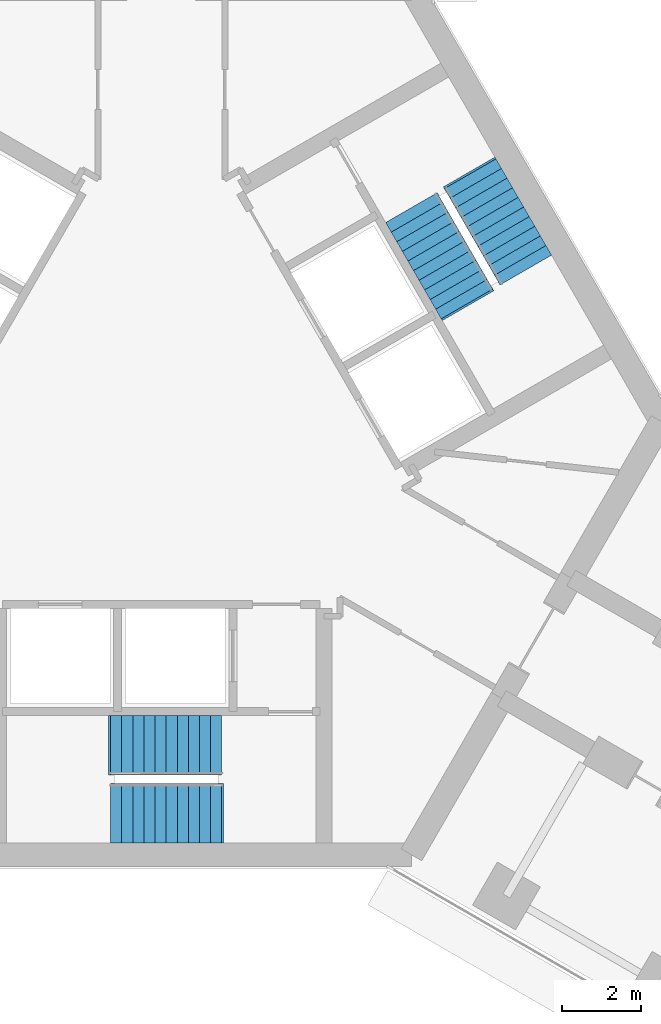
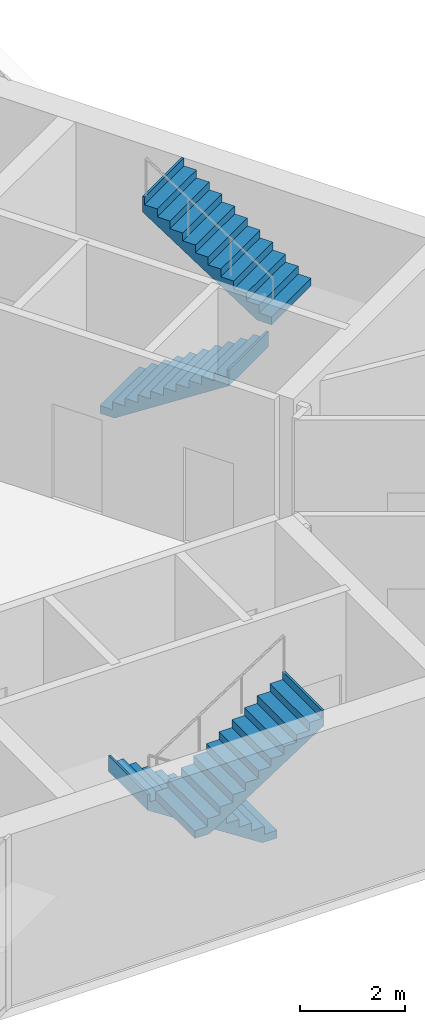
# One storey, part 22 of 23: 4 stair flights, 2 elements without a shape of their own.
"""IFC4 building model written with IfcOpenShell, lengths in metres."""

from ifc_helpers import new_model, si_unit, direction, frame, origin, place, context, subcontext, project, spatial, polyline, outline, extrude, material, type_object, element, aggregate, save


model = new_model("IFC4")

# Units and contexts
model_context = context("Model", 3, precision=1e-05, world=origin(), true_north=direction((0.0, 1.0)))
body_context = subcontext(model_context, "Body", "Model", "MODEL_VIEW")
ifc_project = project(units=[si_unit("LENGTHUNIT", "METRE"), si_unit("AREAUNIT", "SQUARE_METRE"), si_unit("VOLUMEUNIT", "CUBIC_METRE"), si_unit("PLANEANGLEUNIT", "RADIAN"), si_unit("MASSUNIT", "GRAM", prefix="KILO")], contexts=[model_context])

# Site, building, storey
site_placement = place(None, origin())
site = spatial("IfcSite", under=ifc_project, at=site_placement, CompositionType="ELEMENT")
building_placement = place(site_placement, origin())
building = spatial("IfcBuilding", under=site, at=building_placement, Name="Upepo Twin Towers", CompositionType="ELEMENT")
storey_placement = place(building_placement, frame((0.0, 0.0, 149.5)))
storey = spatial("IfcBuildingStorey", under=building, at=storey_placement, Name="L36", CompositionType="ELEMENT", Elevation=149.5)

# Stair, stair flights
ifc_material_1 = material(Name="Concrete C40/50", Category="concrete")
stair_type = type_object("IfcStairType", Name="Core stair, two flights", PredefinedType="HALF_TURN_STAIR", material=ifc_material_1)
stair_1_placement = place(storey_placement, origin())
stair_1 = element("IfcStair", 1, at=stair_1_placement, inside=storey, type_object=stair_type, Name="T2 stair S1 L36", PredefinedType="HALF_TURN_STAIR")
ifc_material_2 = material(Name="Concrete C40/50", Category="concrete")
stair_flight_type = type_object("IfcStairFlightType", Name="Stair flight 1500 RC", PredefinedType="STRAIGHT", material=ifc_material_2)
stair_flight_1_placement = place(storey_placement, frame((60.02001953125, -26.14990234375, 0.0), z_axis=(0.0, 0.0, 1.0), x_axis=(-1.0, 0.0, 0.0)))
stair_flight_1 = element("IfcStairFlight", 2, at=stair_flight_1_placement, type_object=stair_flight_type, Name="Stair S1 flight 1", NumberOfRisers=11, NumberOfTreads=10, PredefinedType="STRAIGHT", RiserHeight=0.181818182, TreadLength=0.28, context=body_context, shape_type="SweptSolid", body=[
    extrude(outline(polyline([(0.0, 0.0), (0.0, 0.181884765625), (0.280029296875, 0.181884765625), (0.280029296875, 0.363525390625), (0.56005859375, 0.363525390625), (0.56005859375, 0.54541015625), (0.840087890625, 0.54541015625), (0.840087890625, 0.727294921875), (1.1201171875, 0.727294921875), (1.1201171875, 0.9091796875), (1.39990234375, 0.9091796875), (1.39990234375, 1.0908203125), (1.679931640625, 1.0908203125), (1.679931640625, 1.272705078125), (1.9599609375, 1.272705078125), (1.9599609375, 1.45458984375), (2.239990234375, 1.45458984375), (2.239990234375, 1.636474609375), (2.52001953125, 1.636474609375), (2.52001953125, 1.818115234375), (2.800048828125, 1.818115234375), (2.800048828125, 2.0), (2.85009765625, 2.0), (2.85009765625, 1.639404296875), (0.3251953125, 0.0), (0.0, 0.0)])), frame((0.0, 0.75, 0.0), z_axis=(0.0, -1.0, 0.0), x_axis=(1.0, 0.0, 0.0)), (0.0, 0.0, 1.0), 1.5),
])
stair_flight_2_placement = place(storey_placement, frame((57.219970703125, -27.8583984375, 2.0), z_axis=(0.0, 0.0, 1.0), x_axis=(1.0, 0.0, 0.0)))
stair_flight_2 = element("IfcStairFlight", 3, at=stair_flight_2_placement, type_object=stair_flight_type, Name="Stair S1 flight 2", NumberOfRisers=11, NumberOfTreads=10, PredefinedType="STRAIGHT", RiserHeight=0.181818182, TreadLength=0.28, context=body_context, shape_type="SweptSolid", body=[
    extrude(outline(polyline([(0.0, 0.0), (0.0, 0.181884765625), (0.280029296875, 0.181884765625), (0.280029296875, 0.363525390625), (0.56005859375, 0.363525390625), (0.56005859375, 0.54541015625), (0.840087890625, 0.54541015625), (0.840087890625, 0.727294921875), (1.1201171875, 0.727294921875), (1.1201171875, 0.9091796875), (1.39990234375, 0.9091796875), (1.39990234375, 1.0908203125), (1.679931640625, 1.0908203125), (1.679931640625, 1.272705078125), (1.9599609375, 1.272705078125), (1.9599609375, 1.45458984375), (2.239990234375, 1.45458984375), (2.239990234375, 1.636474609375), (2.52001953125, 1.636474609375), (2.52001953125, 1.818115234375), (2.800048828125, 1.818115234375), (2.800048828125, 2.0), (2.85009765625, 2.0), (2.85009765625, 1.639404296875), (0.3251953125, 0.0), (0.0, 0.0)])), frame((0.0, 0.75, 0.0), z_axis=(0.0, -1.0, 0.0), x_axis=(1.0, 0.0, 0.0)), (0.0, 0.0, 1.0), 1.5),
])
aggregate(stair_1, [stair_flight_1, stair_flight_2])

stair_2_placement = place(storey_placement, origin())
stair_2 = element("IfcStair", 4, at=stair_2_placement, inside=storey, type_object=stair_type, Name="T2 stair S2 L36", PredefinedType="HALF_TURN_STAIR")
stair_flight_3_placement = place(storey_placement, frame((64.798095703125, -12.608642578125, 0.0), z_axis=(0.0, 0.0, 1.0), x_axis=(0.5, -0.866025403784, 0.0)))
stair_flight_3 = element("IfcStairFlight", 5, at=stair_flight_3_placement, type_object=stair_flight_type, Name="Stair S2 flight 1", NumberOfRisers=11, NumberOfTreads=10, PredefinedType="STRAIGHT", RiserHeight=0.181818182, TreadLength=0.28, context=body_context, shape_type="SweptSolid", body=[
    extrude(outline(polyline([(0.0, 0.0), (0.0, 0.181884765625), (0.280029296875, 0.181884765625), (0.280029296875, 0.363525390625), (0.56005859375, 0.363525390625), (0.56005859375, 0.54541015625), (0.840087890625, 0.54541015625), (0.840087890625, 0.727294921875), (1.1201171875, 0.727294921875), (1.1201171875, 0.9091796875), (1.39990234375, 0.9091796875), (1.39990234375, 1.0908203125), (1.679931640625, 1.0908203125), (1.679931640625, 1.272705078125), (1.9599609375, 1.272705078125), (1.9599609375, 1.45458984375), (2.239990234375, 1.45458984375), (2.239990234375, 1.636474609375), (2.52001953125, 1.636474609375), (2.52001953125, 1.818115234375), (2.800048828125, 1.818115234375), (2.800048828125, 2.0), (2.85009765625, 2.0), (2.85009765625, 1.639404296875), (0.3251953125, 0.0), (0.0, 0.0)])), frame((0.0, 0.75, 0.0), z_axis=(0.0, -1.0, 0.0), x_axis=(1.0, 0.0, 0.0)), (0.0, 0.0, 1.0), 1.5),
])
stair_flight_4_placement = place(storey_placement, frame((67.677490234375, -14.179443359375, 2.0), z_axis=(0.0, 0.0, 1.0), x_axis=(-0.5, 0.866025403784, 0.0)))
stair_flight_4 = element("IfcStairFlight", 6, at=stair_flight_4_placement, type_object=stair_flight_type, Name="Stair S2 flight 2", NumberOfRisers=11, NumberOfTreads=10, PredefinedType="STRAIGHT", RiserHeight=0.181818182, TreadLength=0.28, context=body_context, shape_type="SweptSolid", body=[
    extrude(outline(polyline([(0.0, 0.0), (0.0, 0.181884765625), (0.280029296875, 0.181884765625), (0.280029296875, 0.363525390625), (0.56005859375, 0.363525390625), (0.56005859375, 0.54541015625), (0.840087890625, 0.54541015625), (0.840087890625, 0.727294921875), (1.1201171875, 0.727294921875), (1.1201171875, 0.9091796875), (1.39990234375, 0.9091796875), (1.39990234375, 1.0908203125), (1.679931640625, 1.0908203125), (1.679931640625, 1.272705078125), (1.9599609375, 1.272705078125), (1.9599609375, 1.45458984375), (2.239990234375, 1.45458984375), (2.239990234375, 1.636474609375), (2.52001953125, 1.636474609375), (2.52001953125, 1.818115234375), (2.800048828125, 1.818115234375), (2.800048828125, 2.0), (2.85009765625, 2.0), (2.85009765625, 1.639404296875), (0.3251953125, 0.0), (0.0, 0.0)])), frame((0.0, 0.75, 0.0), z_axis=(0.0, -1.0, 0.0), x_axis=(1.0, 0.0, 0.0)), (0.0, 0.0, 1.0), 1.5),
])
aggregate(stair_2, [stair_flight_3, stair_flight_4])

save(model, "model.ifc")
